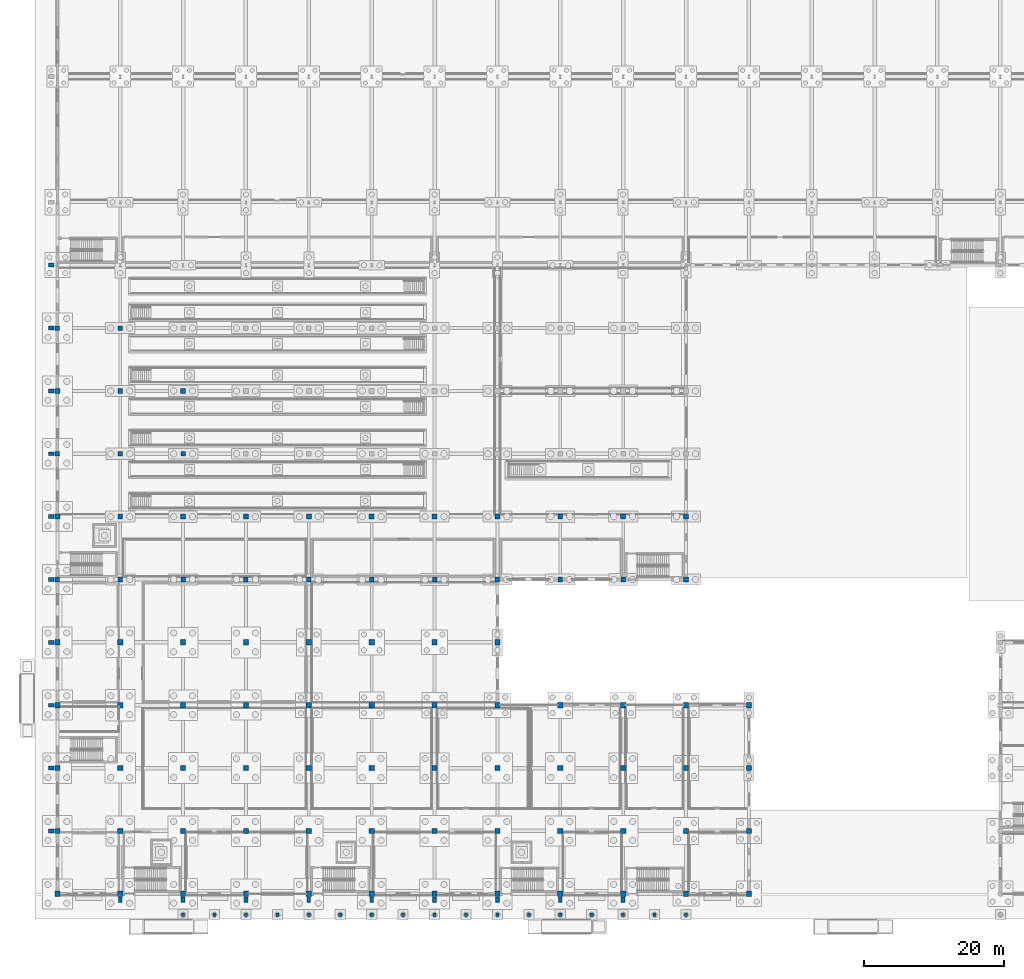
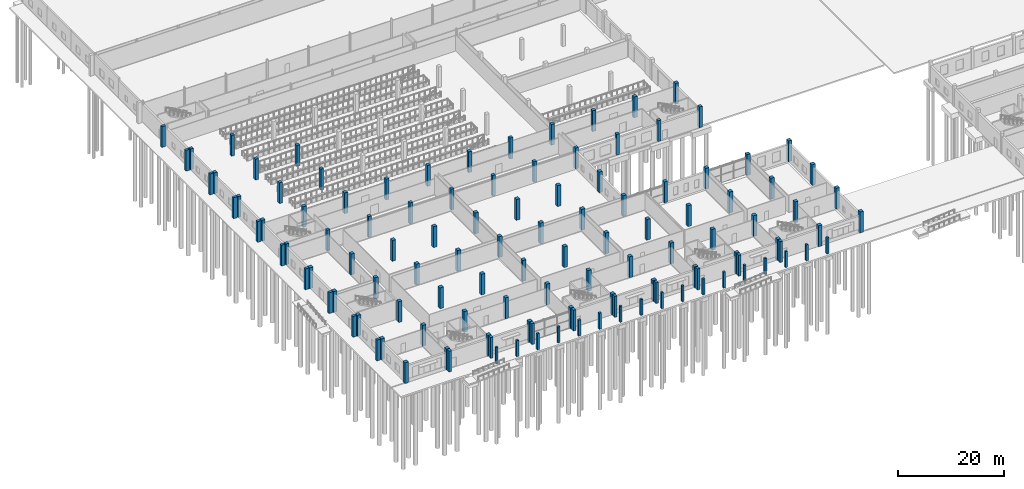
# One storey, part 19 of 112: 122 columns.
"""IFC4 building model written with IfcOpenShell, lengths in metres."""

from ifc_helpers import new_model, si_unit, direction, frame, origin, origin_2d, place, context, subcontext, project, spatial, rectangle, extrude, material, material_profile, profile_set, type_object, element, save


model = new_model("IFC4")

# Units and contexts
model_context = context("Model", 3, precision=1e-05, world=origin(), true_north=direction((0.0, 1.0)))
body_context = subcontext(model_context, "Body", "Model", "MODEL_VIEW")
ifc_project = project(units=[si_unit("LENGTHUNIT", "METRE"), si_unit("AREAUNIT", "SQUARE_METRE"), si_unit("VOLUMEUNIT", "CUBIC_METRE"), si_unit("PLANEANGLEUNIT", "RADIAN"), si_unit("MASSUNIT", "GRAM", prefix="KILO")], contexts=[model_context])

# Site, building, storey
site_placement = place(None, origin())
site = spatial("IfcSite", under=ifc_project, at=site_placement, CompositionType="ELEMENT")
building_placement = place(site_placement, origin())
building = spatial("IfcBuilding", under=site, at=building_placement, Name="Tharagai Park Tramway Depot", CompositionType="ELEMENT")
storey_placement = place(building_placement, origin())
storey = spatial("IfcBuildingStorey", under=building, at=storey_placement, Name="L00", CompositionType="ELEMENT", Elevation=0.0)

# Columns
ifc_material = material(Name="Concrete M40", Category="concrete")
ifc_material_profile_1 = material_profile(ifc_material, rectangle(XDim=0.75, YDim=0.75, at=origin_2d()), Name="RC 750x750")
ifc_profile_set_1 = profile_set([ifc_material_profile_1], Name="Concrete M40")
column_type_1 = type_object("IfcColumnType", Name="CL-05", PredefinedType="COLUMN", material=ifc_profile_set_1)
for number, where, z_axis, x_axis, name in (
    (1, (0.0, 0.0, 0.0), (0.0, 0.0, 1.0), (1.0, 0.0, 0.0), "L00 Structural Column CL-05 (0,0)"),
    (2, (0.0, 9.0, 0.0), (0.0, 0.0, 1.0), (1.0, 0.0, 0.0), "L00 Structural Column CL-05 (0,9)"),
    (3, (0.0, 18.0, 0.0), (0.0, 0.0, 1.0), (1.0, 0.0, 0.0), "L00 Structural Column CL-05 (0,18)"),
    (4, (0.0, 27.0, 0.0), (0.0, 0.0, 1.0), (1.0, 0.0, 0.0), "L00 Structural Column CL-05 (0,27)"),
    (5, (0.0, 36.0, 0.0), (0.0, 0.0, 1.0), (1.0, 0.0, 0.0), "L00 Structural Column CL-05 (0,36)"),
    (6, (9.0, 0.0, 0.0), (0.0, 0.0, 1.0), (1.0, 0.0, 0.0), "L00 Structural Column CL-05 (9,0)"),
    (7, (9.0, 9.0, 0.0), (0.0, 0.0, 1.0), (1.0, 0.0, 0.0), "L00 Structural Column CL-05 (9,9)"),
    (8, (9.0, 18.0, 0.0), (0.0, 0.0, 1.0), (1.0, 0.0, 0.0), "L00 Structural Column CL-05 (9,18)"),
    (9, (9.0, 27.0, 0.0), (0.0, 0.0, 1.0), (1.0, 0.0, 0.0), "L00 Structural Column CL-05 (9,27)"),
    (10, (9.0, 36.0, 0.0), (0.0, 0.0, 1.0), (1.0, 0.0, 0.0), "L00 Structural Column CL-05 (9,36)"),
    (11, (18.0, 0.0, 0.0), (0.0, 0.0, 1.0), (1.0, 0.0, 0.0), "L00 Structural Column CL-05 (18,0)"),
    (12, (18.0, 9.0, 0.0), (0.0, 0.0, 1.0), (1.0, 0.0, 0.0), "L00 Structural Column CL-05 (18,9)"),
    (13, (18.0, 18.0, 0.0), (0.0, 0.0, 1.0), (1.0, 0.0, 0.0), "L00 Structural Column CL-05 (18,18)"),
    (14, (18.0, 27.0, 0.0), (0.0, 0.0, 1.0), (1.0, 0.0, 0.0), "L00 Structural Column CL-05 (18,27)"),
    (15, (18.0, 36.0, 0.0), (0.0, 0.0, 1.0), (1.0, 0.0, 0.0), "L00 Structural Column CL-05 (18,36)"),
    (16, (27.0, 0.0, 0.0), (0.0, 0.0, 1.0), (1.0, 0.0, 0.0), "L00 Structural Column CL-05 (27,0)"),
    (17, (27.0, 9.0, 0.0), (0.0, 0.0, 1.0), (1.0, 0.0, 0.0), "L00 Structural Column CL-05 (27,9)"),
    (18, (27.0, 18.0, 0.0), (0.0, 0.0, 1.0), (1.0, 0.0, 0.0), "L00 Structural Column CL-05 (27,18)"),
    (19, (27.0, 27.0, 0.0), (0.0, 0.0, 1.0), (1.0, 0.0, 0.0), "L00 Structural Column CL-05 (27,27)"),
    (20, (27.0, 36.0, 0.0), (0.0, 0.0, 1.0), (1.0, 0.0, 0.0), "L00 Structural Column CL-05 (27,36)"),
    (21, (36.0, 0.0, 0.0), (0.0, 0.0, 1.0), (1.0, 0.0, 0.0), "L00 Structural Column CL-05 (36,0)"),
    (22, (36.0, 9.0, 0.0), (0.0, 0.0, 1.0), (1.0, 0.0, 0.0), "L00 Structural Column CL-05 (36,9)"),
    (23, (36.0, 18.0, 0.0), (0.0, 0.0, 1.0), (1.0, 0.0, 0.0), "L00 Structural Column CL-05 (36,18)"),
    (24, (36.0, 27.0, 0.0), (0.0, 0.0, 1.0), (1.0, 0.0, 0.0), "L00 Structural Column CL-05 (36,27)"),
    (25, (36.0, 36.0, 0.0), (0.0, 0.0, 1.0), (1.0, 0.0, 0.0), "L00 Structural Column CL-05 (36,36)"),
    (26, (45.0, 0.0, 0.0), (0.0, 0.0, 1.0), (1.0, 0.0, 0.0), "L00 Structural Column CL-05 (45,0)"),
    (27, (45.0, 9.0, 0.0), (0.0, 0.0, 1.0), (1.0, 0.0, 0.0), "L00 Structural Column CL-05 (45,9)"),
    (28, (45.0, 18.0, 0.0), (0.0, 0.0, 1.0), (1.0, 0.0, 0.0), "L00 Structural Column CL-05 (45,18)"),
    (29, (45.0, 27.0, 0.0), (0.0, 0.0, 1.0), (1.0, 0.0, 0.0), "L00 Structural Column CL-05 (45,27)"),
    (30, (45.0, 36.0, 0.0), (0.0, 0.0, 1.0), (1.0, 0.0, 0.0), "L00 Structural Column CL-05 (45,36)"),
    (31, (54.0, 0.0, 0.0), (0.0, 0.0, 1.0), (1.0, 0.0, 0.0), "L00 Structural Column CL-05 (54,0)"),
    (32, (54.0, 9.0, 0.0), (0.0, 0.0, 1.0), (1.0, 0.0, 0.0), "L00 Structural Column CL-05 (54,9)"),
    (33, (54.0, 18.0, 0.0), (0.0, 0.0, 1.0), (1.0, 0.0, 0.0), "L00 Structural Column CL-05 (54,18)"),
    (34, (54.0, 27.0, 0.0), (0.0, 0.0, 1.0), (1.0, 0.0, 0.0), "L00 Structural Column CL-05 (54,27)"),
    (35, (54.0, 36.0, 0.0), (0.0, 0.0, 1.0), (1.0, 0.0, 0.0), "L00 Structural Column CL-05 (54,36)"),
    (36, (63.0, 0.0, 0.0), (0.0, 0.0, 1.0), (1.0, 0.0, 0.0), "L00 Structural Column CL-05 (63,0)"),
    (37, (63.0, 9.0, 0.0), (0.0, 0.0, 1.0), (1.0, 0.0, 0.0), "L00 Structural Column CL-05 (63,9)"),
    (38, (63.0, 18.0, 0.0), (0.0, 0.0, 1.0), (1.0, 0.0, 0.0), "L00 Structural Column CL-05 (63,18)"),
    (39, (63.0, 27.0, 0.0), (0.0, 0.0, 1.0), (1.0, 0.0, 0.0), "L00 Structural Column CL-05 (63,27)"),
    (40, (63.0, 36.0, 0.0), (0.0, 0.0, 1.0), (1.0, 0.0, 0.0), "L00 Structural Column CL-05 (63,36)"),
    (41, (72.0, 0.0, 0.0), (0.0, 0.0, 1.0), (1.0, 0.0, 0.0), "L00 Structural Column CL-05 (72,0)"),
    (42, (72.0, 9.0, 0.0), (0.0, 0.0, 1.0), (1.0, 0.0, 0.0), "L00 Structural Column CL-05 (72,9)"),
    (43, (72.0, 18.0, 0.0), (0.0, 0.0, 1.0), (1.0, 0.0, 0.0), "L00 Structural Column CL-05 (72,18)"),
    (44, (72.0, 27.0, 0.0), (0.0, 0.0, 1.0), (1.0, 0.0, 0.0), "L00 Structural Column CL-05 (72,27)"),
    (45, (81.0, 0.0, 0.0), (0.0, 0.0, 1.0), (1.0, 0.0, 0.0), "L00 Structural Column CL-05 (81,0)"),
    (46, (81.0, 9.0, 0.0), (0.0, 0.0, 1.0), (1.0, 0.0, 0.0), "L00 Structural Column CL-05 (81,9)"),
    (47, (81.0, 18.0, 0.0), (0.0, 0.0, 1.0), (1.0, 0.0, 0.0), "L00 Structural Column CL-05 (81,18)"),
    (48, (81.0, 27.0, 0.0), (0.0, 0.0, 1.0), (1.0, 0.0, 0.0), "L00 Structural Column CL-05 (81,27)"),
    (49, (90.0, 0.0, 0.0), (0.0, 0.0, 1.0), (1.0, 0.0, 0.0), "L00 Structural Column CL-05 (90,0)"),
    (50, (90.0, 9.0, 0.0), (0.0, 0.0, 1.0), (1.0, 0.0, 0.0), "L00 Structural Column CL-05 (90,9)"),
    (51, (90.0, 18.0, 0.0), (0.0, 0.0, 1.0), (1.0, 0.0, 0.0), "L00 Structural Column CL-05 (90,18)"),
    (52, (90.0, 27.0, 0.0), (0.0, 0.0, 1.0), (1.0, 0.0, 0.0), "L00 Structural Column CL-05 (90,27)"),
    (53, (99.0, 0.0, 0.0), (0.0, 0.0, 1.0), (1.0, 0.0, 0.0), "L00 Structural Column CL-05 (99,0)"),
    (54, (99.0, 9.0, 0.0), (0.0, 0.0, 1.0), (1.0, 0.0, 0.0), "L00 Structural Column CL-05 (99,9)"),
    (55, (99.0, 18.0, 0.0), (0.0, 0.0, 1.0), (1.0, 0.0, 0.0), "L00 Structural Column CL-05 (99,18)"),
    (56, (99.0, 27.0, 0.0), (0.0, 0.0, 1.0), (1.0, 0.0, 0.0), "L00 Structural Column CL-05 (99,27)"),
):
    element("IfcColumn", number, at=place(storey_placement, frame(where, z_axis=z_axis, x_axis=x_axis)), inside=storey, type_object=column_type_1, Name=name, PredefinedType="COLUMN", context=body_context, shape_type="SweptSolid", body=[
        extrude(rectangle(XDim=0.75, YDim=0.75, at=origin_2d()), origin(), (0.0, 0.0, 1.0), 4.800048828125),
    ])
ifc_material_profile_2 = material_profile(ifc_material, rectangle(XDim=0.64990234375, YDim=0.64990234375, at=origin_2d()), Name="RC 650x650")
ifc_profile_set_2 = profile_set([ifc_material_profile_2], Name="Concrete M40")
column_type_2 = type_object("IfcColumnType", Name="CL-12", PredefinedType="COLUMN", material=ifc_profile_set_2)
for number, where, z_axis, x_axis, name in (
    (57, (0.0, 45.0, 0.0), (0.0, 0.0, 1.0), (1.0, 0.0, 0.0), "L00 Structural Column CL-12 (0,45)"),
    (58, (0.0, 63.0, 0.0), (0.0, 0.0, 1.0), (1.0, 0.0, 0.0), "L00 Structural Column CL-12 (0,63)"),
    (59, (0.0, 81.0, 0.0), (0.0, 0.0, 1.0), (1.0, 0.0, 0.0), "L00 Structural Column CL-12 (0,81)"),
    (60, (9.0, 45.0, 0.0), (0.0, 0.0, 1.0), (1.0, 0.0, 0.0), "L00 Structural Column CL-12 (9,45)"),
    (61, (9.0, 63.0, 0.0), (0.0, 0.0, 1.0), (1.0, 0.0, 0.0), "L00 Structural Column CL-12 (9,63)"),
    (62, (9.0, 81.0, 0.0), (0.0, 0.0, 1.0), (1.0, 0.0, 0.0), "L00 Structural Column CL-12 (9,81)"),
    (63, (18.0, 45.0, 0.0), (0.0, 0.0, 1.0), (1.0, 0.0, 0.0), "L00 Structural Column CL-12 (18,45)"),
    (64, (18.0, 63.0, 0.0), (0.0, 0.0, 1.0), (1.0, 0.0, 0.0), "L00 Structural Column CL-12 (18,63)"),
    (65, (27.0, 45.0, 0.0), (0.0, 0.0, 1.0), (1.0, 0.0, 0.0), "L00 Structural Column CL-12 (27,45)"),
    (66, (36.0, 45.0, 0.0), (0.0, 0.0, 1.0), (1.0, 0.0, 0.0), "L00 Structural Column CL-12 (36,45)"),
    (67, (45.0, 45.0, 0.0), (0.0, 0.0, 1.0), (1.0, 0.0, 0.0), "L00 Structural Column CL-12 (45,45)"),
    (68, (54.0, 45.0, 0.0), (0.0, 0.0, 1.0), (1.0, 0.0, 0.0), "L00 Structural Column CL-12 (54,45)"),
    (69, (63.0, 45.0, 0.0), (0.0, 0.0, 1.0), (1.0, 0.0, 0.0), "L00 Structural Column CL-12 (63,45)"),
    (70, (72.0, 45.0, 0.0), (0.0, 0.0, 1.0), (1.0, 0.0, 0.0), "L00 Structural Column CL-12 (72,45)"),
    (71, (81.0, 45.0, 0.0), (0.0, 0.0, 1.0), (1.0, 0.0, 0.0), "L00 Structural Column CL-12 (81,45)"),
    (72, (90.0, 45.0, 0.0), (0.0, 0.0, 1.0), (1.0, 0.0, 0.0), "L00 Structural Column CL-12 (90,45)"),
):
    element("IfcColumn", number, at=place(storey_placement, frame(where, z_axis=z_axis, x_axis=x_axis)), inside=storey, type_object=column_type_2, Name=name, PredefinedType="COLUMN", context=body_context, shape_type="SweptSolid", body=[
        extrude(rectangle(XDim=0.64990234375, YDim=0.64990234375, at=origin_2d()), origin(), (0.0, 0.0, 1.0), 4.800048828125),
    ])
ifc_material_profile_3 = material_profile(ifc_material, rectangle(XDim=0.699951171875, YDim=0.699951171875, at=origin_2d()), Name="RC 700x700")
ifc_profile_set_3 = profile_set([ifc_material_profile_3], Name="Concrete M40")
column_type_3 = type_object("IfcColumnType", Name="CL-15", PredefinedType="COLUMN", material=ifc_profile_set_3)
for number, where, z_axis, x_axis, name in (
    (73, (0.0, 54.0, 0.0), (0.0, 0.0, 1.0), (1.0, 0.0, 0.0), "L00 Structural Column CL-15 (0,54)"),
    (74, (0.0, 72.0, 0.0), (0.0, 0.0, 1.0), (1.0, 0.0, 0.0), "L00 Structural Column CL-15 (0,72)"),
    (75, (9.0, 54.0, 0.0), (0.0, 0.0, 1.0), (1.0, 0.0, 0.0), "L00 Structural Column CL-15 (9,54)"),
    (76, (9.0, 72.0, 0.0), (0.0, 0.0, 1.0), (1.0, 0.0, 0.0), "L00 Structural Column CL-15 (9,72)"),
    (77, (18.0, 54.0, 0.0), (0.0, 0.0, 1.0), (1.0, 0.0, 0.0), "L00 Structural Column CL-15 (18,54)"),
    (78, (18.0, 72.0, 0.0), (0.0, 0.0, 1.0), (1.0, 0.0, 0.0), "L00 Structural Column CL-15 (18,72)"),
    (79, (27.0, 54.0, 0.0), (0.0, 0.0, 1.0), (1.0, 0.0, 0.0), "L00 Structural Column CL-15 (27,54)"),
    (80, (36.0, 54.0, 0.0), (0.0, 0.0, 1.0), (1.0, 0.0, 0.0), "L00 Structural Column CL-15 (36,54)"),
    (81, (45.0, 54.0, 0.0), (0.0, 0.0, 1.0), (1.0, 0.0, 0.0), "L00 Structural Column CL-15 (45,54)"),
    (82, (54.0, 54.0, 0.0), (0.0, 0.0, 1.0), (1.0, 0.0, 0.0), "L00 Structural Column CL-15 (54,54)"),
    (83, (63.0, 54.0, 0.0), (0.0, 0.0, 1.0), (1.0, 0.0, 0.0), "L00 Structural Column CL-15 (63,54)"),
    (84, (72.0, 54.0, 0.0), (0.0, 0.0, 1.0), (1.0, 0.0, 0.0), "L00 Structural Column CL-15 (72,54)"),
    (85, (81.0, 54.0, 0.0), (0.0, 0.0, 1.0), (1.0, 0.0, 0.0), "L00 Structural Column CL-15 (81,54)"),
    (86, (90.0, 54.0, 0.0), (0.0, 0.0, 1.0), (1.0, 0.0, 0.0), "L00 Structural Column CL-15 (90,54)"),
):
    element("IfcColumn", number, at=place(storey_placement, frame(where, z_axis=z_axis, x_axis=x_axis)), inside=storey, type_object=column_type_3, Name=name, PredefinedType="COLUMN", context=body_context, shape_type="SweptSolid", body=[
        extrude(rectangle(XDim=0.699951171875, YDim=0.699951171875, at=origin_2d()), origin(), (0.0, 0.0, 1.0), 4.800048828125),
    ])
ifc_material_profile_4 = material_profile(ifc_material, rectangle(XDim=0.449951171875, YDim=0.449951171875, at=origin_2d()), Name="RC 450x450")
ifc_profile_set_4 = profile_set([ifc_material_profile_4], Name="Concrete M40")
column_type_4 = type_object("IfcColumnType", Name="CL-17", PredefinedType="COLUMN", material=ifc_profile_set_4)
for number, where, z_axis, x_axis, name in (
    (87, (18.0, -3.0, 0.0), (0.0, 0.0, 1.0), (1.0, 0.0, 0.0), "Gothic Park Cloister Pier CL-17"),
    (88, (22.5, -3.0, 0.0), (0.0, 0.0, 1.0), (1.0, 0.0, 0.0), "Gothic Park Cloister Pier CL-17"),
    (89, (27.0, -3.0, 0.0), (0.0, 0.0, 1.0), (1.0, 0.0, 0.0), "Gothic Park Cloister Pier CL-17"),
    (90, (31.5, -3.0, 0.0), (0.0, 0.0, 1.0), (1.0, 0.0, 0.0), "Gothic Park Cloister Pier CL-17"),
    (91, (36.0, -3.0, 0.0), (0.0, 0.0, 1.0), (1.0, 0.0, 0.0), "Gothic Park Cloister Pier CL-17"),
    (92, (40.5, -3.0, 0.0), (0.0, 0.0, 1.0), (1.0, 0.0, 0.0), "Gothic Park Cloister Pier CL-17"),
    (93, (45.0, -3.0, 0.0), (0.0, 0.0, 1.0), (1.0, 0.0, 0.0), "Gothic Park Cloister Pier CL-17"),
    (94, (49.5, -3.0, 0.0), (0.0, 0.0, 1.0), (1.0, 0.0, 0.0), "Gothic Park Cloister Pier CL-17"),
    (95, (54.0, -3.0, 0.0), (0.0, 0.0, 1.0), (1.0, 0.0, 0.0), "Gothic Park Cloister Pier CL-17"),
    (96, (58.5, -3.0, 0.0), (0.0, 0.0, 1.0), (1.0, 0.0, 0.0), "Gothic Park Cloister Pier CL-17"),
    (97, (63.0, -3.0, 0.0), (0.0, 0.0, 1.0), (1.0, 0.0, 0.0), "Gothic Park Cloister Pier CL-17"),
    (98, (67.5, -3.0, 0.0), (0.0, 0.0, 1.0), (1.0, 0.0, 0.0), "Gothic Park Cloister Pier CL-17"),
    (99, (72.0, -3.0, 0.0), (0.0, 0.0, 1.0), (1.0, 0.0, 0.0), "Gothic Park Cloister Pier CL-17"),
    (100, (76.5, -3.0, 0.0), (0.0, 0.0, 1.0), (1.0, 0.0, 0.0), "Gothic Park Cloister Pier CL-17"),
    (101, (81.0, -3.0, 0.0), (0.0, 0.0, 1.0), (1.0, 0.0, 0.0), "Gothic Park Cloister Pier CL-17"),
    (102, (85.5, -3.0, 0.0), (0.0, 0.0, 1.0), (1.0, 0.0, 0.0), "Gothic Park Cloister Pier CL-17"),
    (103, (90.0, -3.0, 0.0), (0.0, 0.0, 1.0), (1.0, 0.0, 0.0), "Gothic Park Cloister Pier CL-17"),
):
    element("IfcColumn", number, at=place(storey_placement, frame(where, z_axis=z_axis, x_axis=x_axis)), inside=storey, type_object=column_type_4, Name=name, PredefinedType="COLUMN", context=body_context, shape_type="SweptSolid", body=[
        extrude(rectangle(XDim=0.449951171875, YDim=0.449951171875, at=origin_2d()), origin(), (0.0, 0.0, 1.0), 3.679931640625),
    ])
ifc_material_profile_5 = material_profile(ifc_material, rectangle(XDim=0.550048828125, YDim=0.800048828125, at=origin_2d()), Name="RC 550x800")
ifc_profile_set_5 = profile_set([ifc_material_profile_5], Name="Concrete M40")
column_type_5 = type_object("IfcColumnType", Name="PL-02", PredefinedType="PILASTER", material=ifc_profile_set_5)
for number, where, z_axis, x_axis, name in (
    (104, (9.0, -0.85009765625, 0.0), (0.0, 0.0, 1.0), (1.0, 0.0, 0.0), "L00 Stepped Gothic Buttress PL-02 S4-009"),
    (105, (18.0, -0.85009765625, 0.0), (0.0, 0.0, 1.0), (1.0, 0.0, 0.0), "L00 Stepped Gothic Buttress PL-02 S4-018"),
    (106, (27.0, -0.85009765625, 0.0), (0.0, 0.0, 1.0), (1.0, 0.0, 0.0), "L00 Stepped Gothic Buttress PL-02 S4-027"),
    (107, (36.0, -0.85009765625, 0.0), (0.0, 0.0, 1.0), (1.0, 0.0, 0.0), "L00 Stepped Gothic Buttress PL-02 S4-036"),
    (108, (45.0, -0.85009765625, 0.0), (0.0, 0.0, 1.0), (1.0, 0.0, 0.0), "L00 Stepped Gothic Buttress PL-02 S4-045"),
    (109, (54.0, -0.85009765625, 0.0), (0.0, 0.0, 1.0), (1.0, 0.0, 0.0), "L00 Stepped Gothic Buttress PL-02 S4-054"),
    (110, (63.0, -0.85009765625, 0.0), (0.0, 0.0, 1.0), (1.0, 0.0, 0.0), "L00 Stepped Gothic Buttress PL-02 S4-063"),
    (111, (72.0, -0.85009765625, 0.0), (0.0, 0.0, 1.0), (1.0, 0.0, 0.0), "L00 Stepped Gothic Buttress PL-02 S4-072"),
    (112, (81.0, -0.85009765625, 0.0), (0.0, 0.0, 1.0), (1.0, 0.0, 0.0), "L00 Stepped Gothic Buttress PL-02 S4-081"),
    (113, (-0.85009765625, 9.0, 0.0), (0.0, 0.0, 1.0), (0.0, 1.0, 0.0), "L00 Stepped Gothic Buttress PL-02 W-009"),
    (114, (-0.85009765625, 18.0, 0.0), (0.0, 0.0, 1.0), (0.0, 1.0, 0.0), "L00 Stepped Gothic Buttress PL-02 W-018"),
    (115, (-0.85009765625, 27.0, 0.0), (0.0, 0.0, 1.0), (0.0, 1.0, 0.0), "L00 Stepped Gothic Buttress PL-02 W-027"),
    (116, (-0.85009765625, 36.0, 0.0), (0.0, 0.0, 1.0), (0.0, 1.0, 0.0), "L00 Stepped Gothic Buttress PL-02 W-036"),
    (117, (-0.85009765625, 45.0, 0.0), (0.0, 0.0, 1.0), (0.0, 1.0, 0.0), "L00 Stepped Gothic Buttress PL-02 W-045"),
    (118, (-0.85009765625, 54.0, 0.0), (0.0, 0.0, 1.0), (0.0, 1.0, 0.0), "L00 Stepped Gothic Buttress PL-02 W-054"),
    (119, (-0.85009765625, 63.0, 0.0), (0.0, 0.0, 1.0), (0.0, 1.0, 0.0), "L00 Stepped Gothic Buttress PL-02 W-063"),
    (120, (-0.85009765625, 72.0, 0.0), (0.0, 0.0, 1.0), (0.0, 1.0, 0.0), "L00 Stepped Gothic Buttress PL-02 W-072"),
    (121, (-0.85009765625, 81.0, 0.0), (0.0, 0.0, 1.0), (0.0, 1.0, 0.0), "L00 Stepped Gothic Buttress PL-02 W-081"),
    (122, (-0.85009765625, 90.0, 0.0), (0.0, 0.0, 1.0), (0.0, 1.0, 0.0), "L00 Stepped Gothic Buttress PL-02 W-090"),
):
    element("IfcColumn", number, at=place(storey_placement, frame(where, z_axis=z_axis, x_axis=x_axis)), inside=storey, type_object=column_type_5, Name=name, PredefinedType="PILASTER", context=body_context, shape_type="SweptSolid", body=[
        extrude(rectangle(XDim=0.550048828125, YDim=0.800048828125, at=origin_2d()), origin(), (0.0, 0.0, 1.0), 4.800048828125),
    ])

save(model, "model.ifc")
